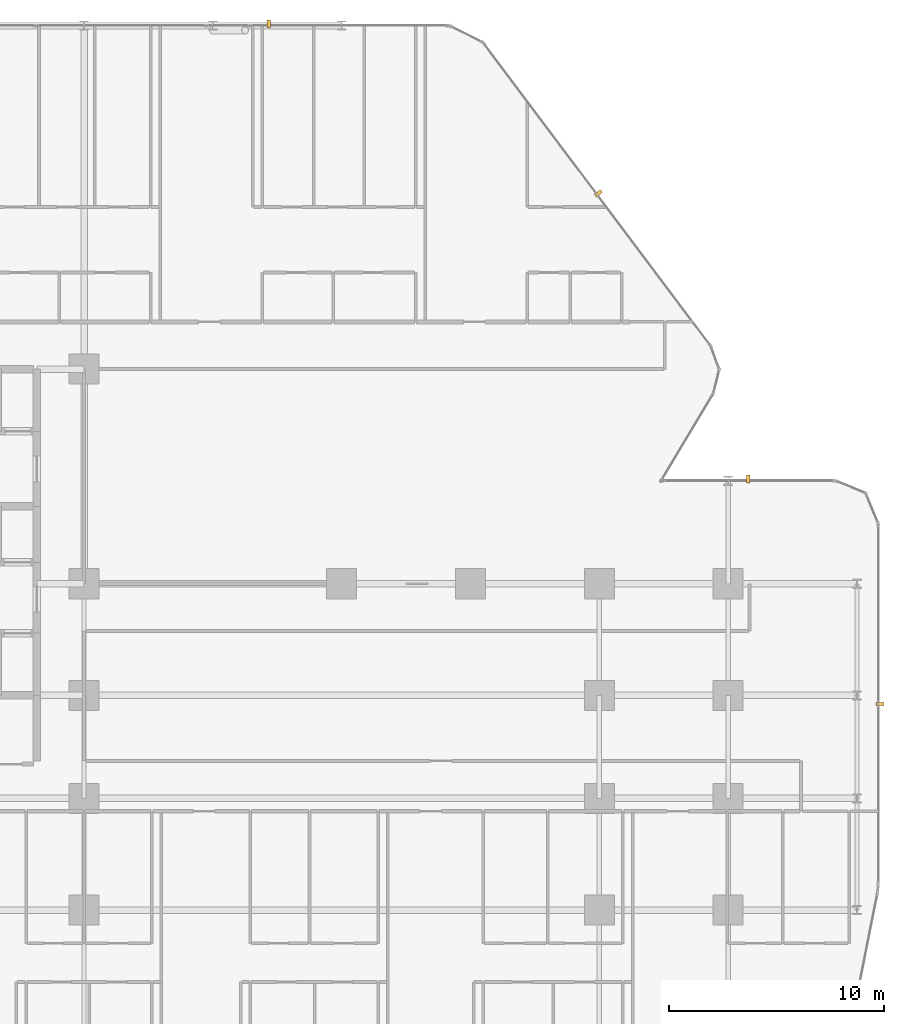
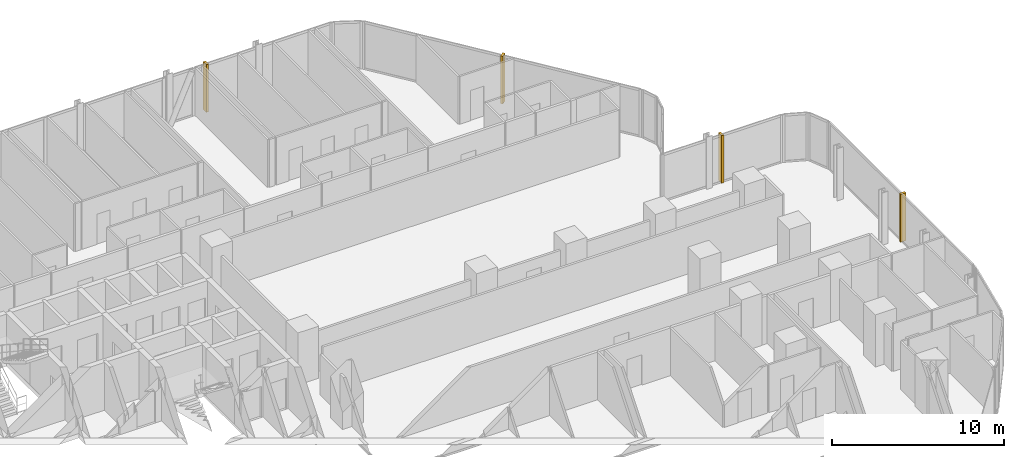
# One storey, part 34 of 34: 4 coverings.
"""IFC4 building model written with IfcOpenShell, lengths in metres."""

from ifc_helpers import new_model, si_unit, direction, frame, origin, origin_2d, place, context, subcontext, project, spatial, rectangle, extrude, material, type_object, element, save


model = new_model("IFC4")

# Units and contexts
model_context = context("Model", 3, precision=1e-05, world=origin(), true_north=direction((0.0, 1.0)))
body_context = subcontext(model_context, "Body", "Model", "MODEL_VIEW")
ifc_project = project(units=[si_unit("LENGTHUNIT", "METRE"), si_unit("AREAUNIT", "SQUARE_METRE"), si_unit("VOLUMEUNIT", "CUBIC_METRE"), si_unit("PLANEANGLEUNIT", "RADIAN"), si_unit("MASSUNIT", "GRAM", prefix="KILO")], contexts=[model_context])

# Site, building, storey
site_placement = place(None, origin())
site = spatial("IfcSite", under=ifc_project, at=site_placement, CompositionType="ELEMENT")
building_placement = place(site_placement, origin())
building = spatial("IfcBuilding", under=site, at=building_placement, Name="Keshet Zoharim Tower", CompositionType="ELEMENT")
storey_placement = place(building_placement, frame((0.0, 0.0, 38.800048828125)))
storey = spatial("IfcBuildingStorey", under=building, at=storey_placement, Name="L08", CompositionType="ELEMENT", Elevation=38.800048828125)

# Coverings
ifc_material = material(Name="Concrete C50/60 precast", Category="concrete")
covering_type = type_object("IfcCoveringType", Name="FIN-SOL-360", PredefinedType="CLADDING", material=ifc_material)
for number, where, z_axis, x_axis, name in (
    (1, (41.593994140625, 53.97998046875, 0.0), (0.0, 0.0, 1.0), (1.0, 0.0, 0.0), "L08 Vertical Precast Solar Fin 06"),
    (2, (56.9609375, 46.0859375, 0.0), (0.0, 0.0, 1.0), (0.600000000002, -0.799999999998, 0.0), "L08 Vertical Precast Solar Fin 07"),
    (3, (63.93994140625, 32.780029296875, 0.0), (0.0, 0.0, 1.0), (1.0, 0.0, 0.0), "L08 Vertical Precast Solar Fin 08"),
    (4, (70.080078125, 22.299072265625, 0.0), (0.0, 0.0, 1.0), (0.0, -1.0, 0.0), "L08 Vertical Precast Solar Fin 09"),
):
    element("IfcCovering", number, at=place(storey_placement, frame(where, z_axis=z_axis, x_axis=x_axis)), inside=storey, type_object=covering_type, Name=name, PredefinedType="CLADDING", context=body_context, shape_type="SweptSolid", body=[
        extrude(rectangle(XDim=0.159912109375, YDim=0.360107421875, at=origin_2d()), origin(), (0.0, 0.0, 1.0), 3.385009765625),
    ])

save(model, "model.ifc")
